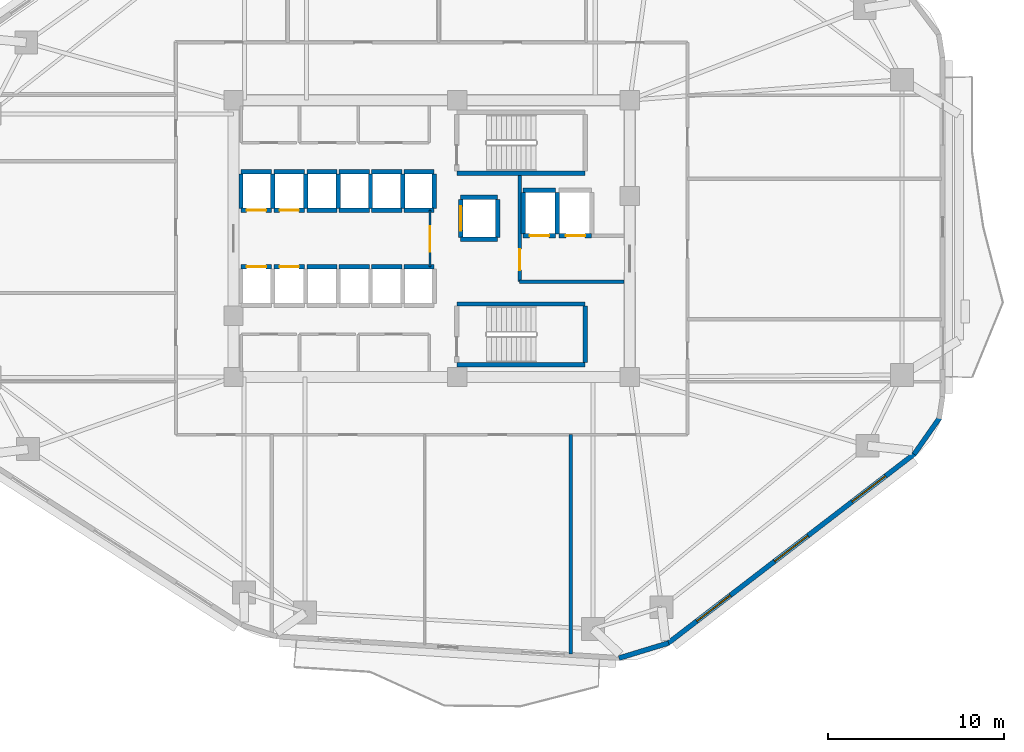
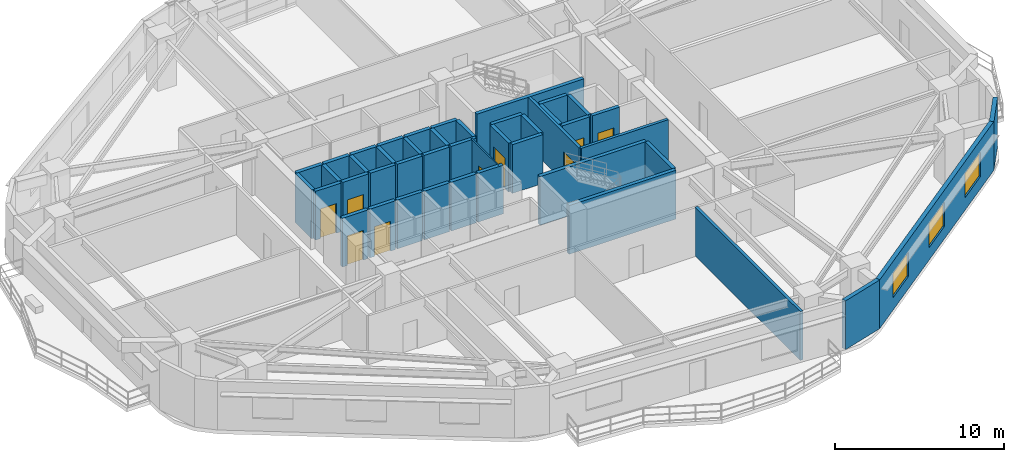
# One storey, part 8 of 14: 45 walls, 9 doors, 3 windows, 12 openings.
"""IFC4 building model written with IfcOpenShell, lengths in metres."""

from ifc_helpers import new_model, si_unit, direction, frame, frame_2d, origin, place, context, subcontext, project, spatial, rectangle, extrude, material, layer, layer_set, type_object, element, fill, save


model = new_model("IFC4")

# Units and contexts
model_context = context("Model", 3, precision=1e-05, world=origin(), true_north=direction((0.0, 1.0)))
body_context = subcontext(model_context, "Body", "Model", "MODEL_VIEW")
ifc_project = project(units=[si_unit("LENGTHUNIT", "METRE"), si_unit("AREAUNIT", "SQUARE_METRE"), si_unit("VOLUMEUNIT", "CUBIC_METRE"), si_unit("PLANEANGLEUNIT", "RADIAN"), si_unit("MASSUNIT", "GRAM", prefix="KILO")], contexts=[model_context])

# Site, building, storey
site_placement = place(None, origin())
site = spatial("IfcSite", under=ifc_project, at=site_placement, CompositionType="ELEMENT")
building_placement = place(site_placement, origin())
building = spatial("IfcBuilding", under=site, at=building_placement, Name="Zulverin Broadcast Headquarters", CompositionType="ELEMENT")
storey_placement = place(building_placement, frame((0.0, 0.0, 55.39990234375)))
storey = spatial("IfcBuildingStorey", under=building, at=storey_placement, Name="L13", CompositionType="ELEMENT", Elevation=55.39990234375)

# Wall
ifc_material_1 = material(Name="Acoustic drywall steel stud", Category="steel")
ifc_layer_1 = layer(ifc_material_1, 0.199951171875, Name="Acoustic drywall steel stud", Category="steel")
ifc_layer_set_1 = layer_set([ifc_layer_1], Name="Acoustic drywall steel stud")
wall_type_1 = type_object("IfcWallType", Name="WL-ACOU-200", PredefinedType="PARTITIONING", material=ifc_layer_set_1)
wall_1_placement = place(storey_placement, frame((44.89990234375, 1.580078125, 0.0), z_axis=(0.0, 0.0, 1.0), x_axis=(0.0, 1.0, 0.0)))
element("IfcWall", 1, at=wall_1_placement, inside=storey, type_object=wall_type_1, Name="L13 Room Partition Wall RP-03", PredefinedType="PARTITIONING", context=body_context, shape_type="SweptSolid", body=[
    extrude(rectangle(XDim=12.469970703125, YDim=0.199951171875, at=frame_2d((6.23486328125, 0.0))), origin(), (0.0, 0.0, 1.0), 3.525146484375),
])

# Wall, openings, windows
ifc_material_2 = material(Name="Insulated pale-metal clad concrete spandrel C40/50", Category="concrete")
ifc_layer_2 = layer(ifc_material_2, 0.280029296875, Name="Insulated pale-metal clad concrete spandrel C40/50", Category="concrete")
ifc_layer_set_2 = layer_set([ifc_layer_2], Name="Insulated pale-metal clad concrete spandrel C40/50")
wall_type_2 = type_object("IfcWallType", Name="WL-EXT-280", PredefinedType="STANDARD", material=ifc_layer_set_2)
wall_2_placement = place(storey_placement, frame((50.4287109375, 2.171630859375, 0.0), z_axis=(0.0, 0.0, 1.0), x_axis=(0.792937466367, 0.609303023488, 0.0)))
wall_2 = element("IfcWall", 2, at=wall_2_placement, inside=storey, type_object=wall_type_2, Name="L13 Pale-Metal Clad Spandrel Wall 2", PredefinedType="STANDARD", context=body_context, shape_type="SweptSolid", body=[
    extrude(rectangle(XDim=17.712890625, YDim=0.280029296875, at=frame_2d((8.8564453125, 0.0))), origin(), (0.0, 0.0, 1.0), 3.525146484375),
])
opening_1_placement = place(wall_2_placement, frame((2.08544921875, 0.0, 0.89990234375)))
opening_1 = element("IfcOpeningElement", 3, at=opening_1_placement, cuts=wall_2, Name="Opening W-L13-E21", PredefinedType="OPENING", context=body_context, shape_type="SweptSolid", body=[
    extrude(rectangle(XDim=2.39990234375, YDim=1.75, at=frame_2d((1.199951171875, 0.875))), frame((0.0, 0.14990234375, 0.0), z_axis=(0.0, -1.0, 0.0), x_axis=(1.0, 0.0, 0.0)), (0.0, 0.0, 1.0), 0.300048828125),
])
opening_2_placement = place(wall_2_placement, frame((7.656494140625, 0.0, 0.89990234375)))
opening_2 = element("IfcOpeningElement", 4, at=opening_2_placement, cuts=wall_2, Name="Opening W-L13-E22", PredefinedType="OPENING", context=body_context, shape_type="SweptSolid", body=[
    extrude(rectangle(XDim=2.39990234375, YDim=1.75, at=frame_2d((1.199951171875, 0.875))), frame((0.0, 0.14990234375, 0.0), z_axis=(0.0, -1.0, 0.0), x_axis=(1.0, 0.0, 0.0)), (0.0, 0.0, 1.0), 0.300048828125),
])
opening_3_placement = place(wall_2_placement, frame((13.227294921875, 0.0, 0.89990234375)))
opening_3 = element("IfcOpeningElement", 5, at=opening_3_placement, cuts=wall_2, Name="Opening W-L13-E23", PredefinedType="OPENING", context=body_context, shape_type="SweptSolid", body=[
    extrude(rectangle(XDim=2.39990234375, YDim=1.75, at=frame_2d((1.199951171875, 0.875))), frame((0.0, 0.14990234375, 0.0), z_axis=(0.0, -1.0, 0.0), x_axis=(1.0, 0.0, 0.0)), (0.0, 0.0, 1.0), 0.300048828125),
])
ifc_material_3 = material(Name="Pale anodized aluminium frame with solar-control low-E double glazing", Category="aluminium")
window_type = type_object("IfcWindowType", Name="WIN-RIB-2400", PartitioningType="SINGLE_PANEL", PredefinedType="WINDOW", material=ifc_material_3)
window_1_placement = place(opening_1_placement, origin())
window_1 = element("IfcWindow", 6, at=window_1_placement, inside=storey, type_object=window_type, Name="L13 Ribbon Glazing Window 2 1", OverallHeight=1.75, OverallWidth=2.39990234375, PartitioningType="SINGLE_PANEL", PredefinedType="WINDOW", context=body_context, shape_type="SweptSolid", body=[
    extrude(rectangle(XDim=2.39990234375, YDim=1.75, at=frame_2d((1.199951171875, 0.875))), frame((0.0, 0.030029296875, 0.0), z_axis=(0.0, -1.0, 0.0), x_axis=(1.0, 0.0, 0.0)), (0.0, 0.0, 1.0), 0.06005859375),
])
fill(opening_1, window_1)
window_2_placement = place(opening_2_placement, origin())
window_2 = element("IfcWindow", 7, at=window_2_placement, inside=storey, type_object=window_type, Name="L13 Ribbon Glazing Window 2 2", OverallHeight=1.75, OverallWidth=2.39990234375, PartitioningType="SINGLE_PANEL", PredefinedType="WINDOW", context=body_context, shape_type="SweptSolid", body=[
    extrude(rectangle(XDim=2.39990234375, YDim=1.75, at=frame_2d((1.199951171875, 0.875))), frame((0.0, 0.030029296875, 0.0), z_axis=(0.0, -1.0, 0.0), x_axis=(1.0, 0.0, 0.0)), (0.0, 0.0, 1.0), 0.06005859375),
])
fill(opening_2, window_2)
window_3_placement = place(opening_3_placement, origin())
window_3 = element("IfcWindow", 8, at=window_3_placement, inside=storey, type_object=window_type, Name="L13 Ribbon Glazing Window 2 3", OverallHeight=1.75, OverallWidth=2.39990234375, PartitioningType="SINGLE_PANEL", PredefinedType="WINDOW", context=body_context, shape_type="SweptSolid", body=[
    extrude(rectangle(XDim=2.39990234375, YDim=1.75, at=frame_2d((1.199951171875, 0.875))), frame((0.0, 0.030029296875, 0.0), z_axis=(0.0, -1.0, 0.0), x_axis=(1.0, 0.0, 0.0)), (0.0, 0.0, 1.0), 0.06005859375),
])
fill(opening_3, window_3)

# Walls
wall_3_placement = place(storey_placement, frame((47.649658203125, 1.3330078125, 0.0), z_axis=(0.0, 0.0, 1.0), x_axis=(0.956461287977, 0.291859220516, 0.0)))
element("IfcWall", 9, at=wall_3_placement, inside=storey, type_object=wall_type_2, Name="L13 Wind-Shaped Corner Spandrel Wall 1-1", PredefinedType="STANDARD", context=body_context, shape_type="SweptSolid", body=[
    extrude(rectangle(XDim=2.951904296875, YDim=0.280029296875, at=frame_2d((1.47607421875, 0.0))), origin(), (0.0, 0.0, 1.0), 3.525146484375),
])
wall_4_placement = place(storey_placement, frame((64.4443359375, 12.933349609375, 0.0), z_axis=(0.0, 0.0, 1.0), x_axis=(0.573176686443, 0.819431806875, 0.0)))
element("IfcWall", 10, at=wall_4_placement, inside=storey, type_object=wall_type_2, Name="L13 Wind-Shaped Corner Spandrel Wall 2-1", PredefinedType="STANDARD", context=body_context, shape_type="SweptSolid", body=[
    extrude(rectangle(XDim=2.524169921875, YDim=0.280029296875, at=frame_2d((1.26220703125, 0.0))), origin(), (0.0, 0.0, 1.0), 3.525146484375),
])

# Wall, opening, door
ifc_material_4 = material(Name="Concrete C40/50", Category="concrete")
ifc_layer_3 = layer(ifc_material_4, 0.199951171875, Name="Concrete C40/50", Category="concrete")
ifc_layer_set_3 = layer_set([ifc_layer_3], Name="Concrete C40/50")
wall_type_3 = type_object("IfcWallType", Name="WL-FFL-200", PredefinedType="SOLIDWALL", material=ifc_layer_set_3)
wall_5_placement = place(storey_placement, frame((42.0, 22.75, 0.0), z_axis=(0.0, 0.0, 1.0), x_axis=(0.0, 1.0, 0.0)))
wall_5 = element("IfcWall", 11, at=wall_5_placement, inside=storey, type_object=wall_type_3, Name="L13 Firefighting Lift Lobby West Wall", PredefinedType="SOLIDWALL", context=body_context, shape_type="SweptSolid", body=[
    extrude(rectangle(XDim=6.050048828125, YDim=0.199951171875, at=frame_2d((3.02490234375, 0.0))), origin(), (0.0, 0.0, 1.0), 3.525146484375),
])
opening_4_placement = place(wall_5_placement, frame((0.64990234375, 0.0, 0.0)))
opening_4 = element("IfcOpeningElement", 12, at=opening_4_placement, cuts=wall_5, Name="Opening D-L13-FFLW", PredefinedType="OPENING", context=body_context, shape_type="SweptSolid", body=[
    extrude(rectangle(XDim=1.199951171875, YDim=2.14990234375, at=frame_2d((0.60009765625, 1.074951171875))), frame((0.0, 0.10986328125, 0.0), z_axis=(0.0, -1.0, 0.0), x_axis=(1.0, 0.0, 0.0)), (0.0, 0.0, 1.0), 0.219970703125),
])
ifc_material_5 = material(Name="Fire-rated steel leaf and frame", Category="steel")
door_type_1 = type_object("IfcDoorType", Name="DR-FFL-1200", OperationType="SINGLE_SWING_RIGHT", PredefinedType="DOOR", material=ifc_material_5)
door_1_placement = place(opening_4_placement, origin())
door_1 = element("IfcDoor", 13, at=door_1_placement, inside=storey, type_object=door_type_1, Name="L13 Firefighting Lift Lobby Door", OperationType="SINGLE_SWING_RIGHT", OverallHeight=2.14990234375, OverallWidth=1.199951171875, PredefinedType="DOOR", context=body_context, shape_type="SweptSolid", body=[
    extrude(rectangle(XDim=1.199951171875, YDim=2.14990234375, at=frame_2d((0.60009765625, 1.074951171875))), frame((0.0, 0.02490234375, 0.0), z_axis=(0.0, -1.0, 0.0), x_axis=(1.0, 0.0, 0.0)), (0.0, 0.0, 1.0), 0.050048828125),
])
fill(opening_4, door_1)

# Wall
wall_6_placement = place(storey_placement, frame((42.0, 22.75, 0.0), z_axis=(0.0, 0.0, 1.0), x_axis=(1.0, 0.0, 0.0)))
element("IfcWall", 14, at=wall_6_placement, inside=storey, type_object=wall_type_3, Name="L13 Firefighting Lift Lobby South Wall", PredefinedType="SOLIDWALL", context=body_context, shape_type="SweptSolid", body=[
    extrude(rectangle(XDim=5.949951171875, YDim=0.199951171875, at=frame_2d((2.97509765625, 0.0))), origin(), (0.0, 0.0, 1.0), 3.525146484375),
])

# Wall, opening, door
ifc_material_6 = material(Name="Fire-rated acoustic laminated glass screen", Category="glass")
ifc_layer_4 = layer(ifc_material_6, 0.10009765625, Name="Fire-rated acoustic laminated glass screen", Category="glass")
ifc_layer_set_4 = layer_set([ifc_layer_4], Name="Fire-rated acoustic laminated glass screen")
wall_type_4 = type_object("IfcWallType", Name="WL-GLAZ-100", PredefinedType="PARTITIONING", material=ifc_layer_set_4)
wall_7_placement = place(storey_placement, frame((36.89990234375, 23.60009765625, 0.0), z_axis=(0.0, 0.0, 1.0), x_axis=(0.0, 1.0, 0.0)))
wall_7 = element("IfcWall", 15, at=wall_7_placement, inside=storey, type_object=wall_type_4, Name="L13 Core Goods & Stair Hall Screen", PredefinedType="PARTITIONING", context=body_context, shape_type="SweptSolid", body=[
    extrude(rectangle(XDim=3.199951171875, YDim=0.10009765625, at=frame_2d((1.60009765625, 0.0))), origin(), (0.0, 0.0, 1.0), 3.525146484375),
])
opening_5_placement = place(wall_7_placement, frame((0.85009765625, 0.0, 0.0)))
opening_5 = element("IfcOpeningElement", 16, at=opening_5_placement, cuts=wall_7, Name="Opening D-L13-CL3", PredefinedType="OPENING", context=body_context, shape_type="SweptSolid", body=[
    extrude(rectangle(XDim=1.449951171875, YDim=2.1201171875, at=frame_2d((0.72509765625, 1.06005859375))), frame((0.0, 0.06005859375, 0.0), z_axis=(0.0, -1.0, 0.0), x_axis=(1.0, 0.0, 0.0)), (0.0, 0.0, 1.0), 0.1201171875),
])
ifc_material_7 = material(Name="Fire-rated acoustic glazed double leaf", Category="glass")
door_type_2 = type_object("IfcDoorType", Name="DR-GLZ-1450", OperationType="DOUBLE_DOOR_SINGLE_SWING", PredefinedType="DOOR", material=ifc_material_7)
door_2_placement = place(opening_5_placement, origin())
door_2 = element("IfcDoor", 17, at=door_2_placement, inside=storey, type_object=door_type_2, Name="L13 Core Goods & Stair Hall Door", OperationType="DOUBLE_DOOR_SINGLE_SWING", OverallHeight=2.1201171875, OverallWidth=1.449951171875, PredefinedType="DOOR", context=body_context, shape_type="SweptSolid", body=[
    extrude(rectangle(XDim=1.449951171875, YDim=2.1201171875, at=frame_2d((0.72509765625, 1.06005859375))), frame((0.0, 0.02490234375, 0.0), z_axis=(0.0, -1.0, 0.0), x_axis=(1.0, 0.0, 0.0)), (0.0, 0.0, 1.0), 0.050048828125),
])
fill(opening_5, door_2)

# Walls
ifc_material_8 = material(Name="Concrete C50/60", Category="concrete")
ifc_layer_5 = layer(ifc_material_8, 0.25, Name="Concrete C50/60", Category="concrete")
ifc_layer_set_5 = layer_set([ifc_layer_5], Name="Concrete C50/60")
wall_type_5 = type_object("IfcWallType", Name="WL-SHAFT-250", PredefinedType="SHEAR", material=ifc_layer_set_5)
for number, where, z_axis, x_axis, name in (
    (18, (38.425048828125, 28.925048828125, 0.0), (0.0, 0.0, 1.0), (1.0, 0.0, 0.0), "L13 ST-1 Enclosure Wall S"),
    (19, (38.425048828125, 18.02490234375, 0.0), (0.0, 0.0, 1.0), (1.0, 0.0, 0.0), "L13 ST-2 Enclosure Wall S"),
    (20, (38.425048828125, 21.47509765625, 0.0), (0.0, 0.0, 1.0), (1.0, 0.0, 0.0), "L13 ST-2 Enclosure Wall N"),
):
    element("IfcWall", number, at=place(storey_placement, frame(where, z_axis=z_axis, x_axis=x_axis)), inside=storey, type_object=wall_type_5, Name=name, PredefinedType="SHEAR", context=body_context, shape_type="SweptSolid", body=[
        extrude(rectangle(XDim=7.300048828125, YDim=0.25, at=frame_2d((3.64990234375, 0.0))), origin(), (0.0, 0.0, 1.0), 3.525146484375),
    ])
wall_8_placement = place(storey_placement, frame((45.72509765625, 18.14990234375, 0.0), z_axis=(0.0, 0.0, 1.0), x_axis=(0.0, 1.0, 0.0)))
element("IfcWall", 21, at=wall_8_placement, inside=storey, type_object=wall_type_5, Name="L13 ST-2 Enclosure Wall E", PredefinedType="SHEAR", context=body_context, shape_type="SweptSolid", body=[
    extrude(rectangle(XDim=3.2001953125, YDim=0.25, at=frame_2d((1.60009765625, 0.0))), origin(), (0.0, 0.0, 1.0), 3.525146484375),
])

# Wall, opening, door
wall_9_placement = place(storey_placement, frame((26.14990234375, 26.800048828125, 0.0), z_axis=(0.0, 0.0, 1.0), x_axis=(1.0, 0.0, 0.0)))
wall_9 = element("IfcWall", 22, at=wall_9_placement, inside=storey, type_object=wall_type_5, Name="L13 Lift PL-L1 Shaft Wall S", PredefinedType="SHEAR", context=body_context, shape_type="SweptSolid", body=[
    extrude(rectangle(XDim=1.75, YDim=0.25, at=frame_2d((0.875, 0.0))), origin(), (0.0, 0.0, 1.0), 3.525146484375),
])
opening_6_placement = place(wall_9_placement, frame((0.324951171875, 0.0, 0.0)))
opening_6 = element("IfcOpeningElement", 23, at=opening_6_placement, cuts=wall_9, Name="Opening LD-PL-L1-L13", PredefinedType="OPENING", context=body_context, shape_type="SweptSolid", body=[
    extrude(rectangle(XDim=1.10009765625, YDim=2.14990234375, at=frame_2d((0.550048828125, 1.074951171875))), frame((0.0, 0.135009765625, 0.0), z_axis=(0.0, -1.0, 0.0), x_axis=(1.0, 0.0, 0.0)), (0.0, 0.0, 1.0), 0.27001953125),
])
ifc_material_9 = material(Name="Brushed stainless steel landing", Category="steel")
door_type_3 = type_object("IfcDoorType", Name="LD-PASS-1100", OperationType="DOUBLE_DOOR_SLIDING", PredefinedType="DOOR", material=ifc_material_9)
door_3_placement = place(opening_6_placement, origin())
door_3 = element("IfcDoor", 24, at=door_3_placement, inside=storey, type_object=door_type_3, Name="L13 Lift PL-L1 Sliding Landing Door", OperationType="DOUBLE_DOOR_SLIDING", OverallHeight=2.14990234375, OverallWidth=1.10009765625, PredefinedType="DOOR", context=body_context, shape_type="SweptSolid", body=[
    extrude(rectangle(XDim=1.10009765625, YDim=2.14990234375, at=frame_2d((0.550048828125, 1.074951171875))), frame((0.0, 0.02490234375, 0.0), z_axis=(0.0, -1.0, 0.0), x_axis=(1.0, 0.0, 0.0)), (0.0, 0.0, 1.0), 0.050048828125),
])
fill(opening_6, door_3)

# Walls
wall_10_placement = place(storey_placement, frame((26.14990234375, 29.0, 0.0), z_axis=(0.0, 0.0, 1.0), x_axis=(1.0, 0.0, 0.0)))
element("IfcWall", 25, at=wall_10_placement, inside=storey, type_object=wall_type_5, Name="L13 Lift PL-L1 Shaft Wall N", PredefinedType="SHEAR", context=body_context, shape_type="SweptSolid", body=[
    extrude(rectangle(XDim=1.75, YDim=0.25, at=frame_2d((0.875, 0.0))), origin(), (0.0, 0.0, 1.0), 3.525146484375),
])
for number, where, z_axis, x_axis, name in (
    (26, (26.14990234375, 26.919921875, 0.0), (0.0, 0.0, 1.0), (0.0, 1.0, 0.0), "L13 Lift PL-L1 Shaft Wall W"),
    (27, (27.9599609375, 26.919921875, 0.0), (0.0, 0.0, 1.0), (0.0, 1.0, 0.0), "L13 Lift PL-L1 Shaft Wall E"),
):
    element("IfcWall", number, at=place(storey_placement, frame(where, z_axis=z_axis, x_axis=x_axis)), inside=storey, type_object=wall_type_5, Name=name, PredefinedType="SHEAR", context=body_context, shape_type="SweptSolid", body=[
        extrude(rectangle(XDim=1.9599609375, YDim=0.25, at=frame_2d((0.97998046875, 0.0))), origin(), (0.0, 0.0, 1.0), 3.525146484375),
    ])

# Wall, opening, door
wall_11_placement = place(storey_placement, frame((28.02001953125, 26.800048828125, 0.0), z_axis=(0.0, 0.0, 1.0), x_axis=(1.0, 0.0, 0.0)))
wall_11 = element("IfcWall", 28, at=wall_11_placement, inside=storey, type_object=wall_type_5, Name="L13 Lift PL-L2 Shaft Wall S", PredefinedType="SHEAR", context=body_context, shape_type="SweptSolid", body=[
    extrude(rectangle(XDim=1.75, YDim=0.25, at=frame_2d((0.875, 0.0))), origin(), (0.0, 0.0, 1.0), 3.525146484375),
])
opening_7_placement = place(wall_11_placement, frame((0.324951171875, 0.0, 0.0)))
opening_7 = element("IfcOpeningElement", 29, at=opening_7_placement, cuts=wall_11, Name="Opening LD-PL-L2-L13", PredefinedType="OPENING", context=body_context, shape_type="SweptSolid", body=[
    extrude(rectangle(XDim=1.10009765625, YDim=2.14990234375, at=frame_2d((0.550048828125, 1.074951171875))), frame((0.0, 0.135009765625, 0.0), z_axis=(0.0, -1.0, 0.0), x_axis=(1.0, 0.0, 0.0)), (0.0, 0.0, 1.0), 0.27001953125),
])
door_4_placement = place(opening_7_placement, origin())
door_4 = element("IfcDoor", 30, at=door_4_placement, inside=storey, type_object=door_type_3, Name="L13 Lift PL-L2 Sliding Landing Door", OperationType="DOUBLE_DOOR_SLIDING", OverallHeight=2.14990234375, OverallWidth=1.10009765625, PredefinedType="DOOR", context=body_context, shape_type="SweptSolid", body=[
    extrude(rectangle(XDim=1.10009765625, YDim=2.14990234375, at=frame_2d((0.550048828125, 1.074951171875))), frame((0.0, 0.02490234375, 0.0), z_axis=(0.0, -1.0, 0.0), x_axis=(1.0, 0.0, 0.0)), (0.0, 0.0, 1.0), 0.050048828125),
])
fill(opening_7, door_4)

# Walls
wall_12_placement = place(storey_placement, frame((28.02001953125, 29.0, 0.0), z_axis=(0.0, 0.0, 1.0), x_axis=(1.0, 0.0, 0.0)))
element("IfcWall", 31, at=wall_12_placement, inside=storey, type_object=wall_type_5, Name="L13 Lift PL-L2 Shaft Wall N", PredefinedType="SHEAR", context=body_context, shape_type="SweptSolid", body=[
    extrude(rectangle(XDim=1.75, YDim=0.25, at=frame_2d((0.875, 0.0))), origin(), (0.0, 0.0, 1.0), 3.525146484375),
])
wall_13_placement = place(storey_placement, frame((29.8349609375, 26.919921875, 0.0), z_axis=(0.0, 0.0, 1.0), x_axis=(0.0, 1.0, 0.0)))
element("IfcWall", 32, at=wall_13_placement, inside=storey, type_object=wall_type_5, Name="L13 Lift PL-L2 Shaft Wall E", PredefinedType="SHEAR", context=body_context, shape_type="SweptSolid", body=[
    extrude(rectangle(XDim=1.9599609375, YDim=0.25, at=frame_2d((0.97998046875, 0.0))), origin(), (0.0, 0.0, 1.0), 3.525146484375),
])

# Wall, opening, door
wall_14_placement = place(storey_placement, frame((26.14990234375, 23.60009765625, 0.0), z_axis=(0.0, 0.0, 1.0), x_axis=(1.0, 0.0, 0.0)))
wall_14 = element("IfcWall", 33, at=wall_14_placement, inside=storey, type_object=wall_type_5, Name="L13 Lift PL-L3 Shaft Wall N", PredefinedType="SHEAR", context=body_context, shape_type="SweptSolid", body=[
    extrude(rectangle(XDim=1.75, YDim=0.25, at=frame_2d((0.875, 0.0))), origin(), (0.0, 0.0, 1.0), 3.525146484375),
])
opening_8_placement = place(wall_14_placement, frame((0.324951171875, 0.0, 0.0)))
opening_8 = element("IfcOpeningElement", 34, at=opening_8_placement, cuts=wall_14, Name="Opening LD-PL-L3-L13", PredefinedType="OPENING", context=body_context, shape_type="SweptSolid", body=[
    extrude(rectangle(XDim=1.10009765625, YDim=2.14990234375, at=frame_2d((0.550048828125, 1.074951171875))), frame((0.0, 0.135009765625, 0.0), z_axis=(0.0, -1.0, 0.0), x_axis=(1.0, 0.0, 0.0)), (0.0, 0.0, 1.0), 0.27001953125),
])
door_5_placement = place(opening_8_placement, origin())
door_5 = element("IfcDoor", 35, at=door_5_placement, inside=storey, type_object=door_type_3, Name="L13 Lift PL-L3 Sliding Landing Door", OperationType="DOUBLE_DOOR_SLIDING", OverallHeight=2.14990234375, OverallWidth=1.10009765625, PredefinedType="DOOR", context=body_context, shape_type="SweptSolid", body=[
    extrude(rectangle(XDim=1.10009765625, YDim=2.14990234375, at=frame_2d((0.550048828125, 1.074951171875))), frame((0.0, 0.02490234375, 0.0), z_axis=(0.0, -1.0, 0.0), x_axis=(1.0, 0.0, 0.0)), (0.0, 0.0, 1.0), 0.050048828125),
])
fill(opening_8, door_5)

wall_15_placement = place(storey_placement, frame((28.02001953125, 23.60009765625, 0.0), z_axis=(0.0, 0.0, 1.0), x_axis=(1.0, 0.0, 0.0)))
wall_15 = element("IfcWall", 36, at=wall_15_placement, inside=storey, type_object=wall_type_5, Name="L13 Lift PL-L4 Shaft Wall N", PredefinedType="SHEAR", context=body_context, shape_type="SweptSolid", body=[
    extrude(rectangle(XDim=1.75, YDim=0.25, at=frame_2d((0.875, 0.0))), origin(), (0.0, 0.0, 1.0), 3.525146484375),
])
opening_9_placement = place(wall_15_placement, frame((0.324951171875, 0.0, 0.0)))
opening_9 = element("IfcOpeningElement", 37, at=opening_9_placement, cuts=wall_15, Name="Opening LD-PL-L4-L13", PredefinedType="OPENING", context=body_context, shape_type="SweptSolid", body=[
    extrude(rectangle(XDim=1.10009765625, YDim=2.14990234375, at=frame_2d((0.550048828125, 1.074951171875))), frame((0.0, 0.135009765625, 0.0), z_axis=(0.0, -1.0, 0.0), x_axis=(1.0, 0.0, 0.0)), (0.0, 0.0, 1.0), 0.27001953125),
])
door_6_placement = place(opening_9_placement, origin())
door_6 = element("IfcDoor", 38, at=door_6_placement, inside=storey, type_object=door_type_3, Name="L13 Lift PL-L4 Sliding Landing Door", OperationType="DOUBLE_DOOR_SLIDING", OverallHeight=2.14990234375, OverallWidth=1.10009765625, PredefinedType="DOOR", context=body_context, shape_type="SweptSolid", body=[
    extrude(rectangle(XDim=1.10009765625, YDim=2.14990234375, at=frame_2d((0.550048828125, 1.074951171875))), frame((0.0, 0.02490234375, 0.0), z_axis=(0.0, -1.0, 0.0), x_axis=(1.0, 0.0, 0.0)), (0.0, 0.0, 1.0), 0.050048828125),
])
fill(opening_9, door_6)

# Walls
wall_16_placement = place(storey_placement, frame((29.89990234375, 23.60009765625, 0.0), z_axis=(0.0, 0.0, 1.0), x_axis=(1.0, 0.0, 0.0)))
element("IfcWall", 39, at=wall_16_placement, inside=storey, type_object=wall_type_5, Name="L13 Lift PL-M1 Shaft Wall N", PredefinedType="SHEAR", context=body_context, shape_type="SweptSolid", body=[
    extrude(rectangle(XDim=1.72021484375, YDim=0.25, at=frame_2d((0.860107421875, 0.0))), origin(), (0.0, 0.0, 1.0), 3.525146484375),
])
for number, where, z_axis, x_axis, name in (
    (40, (31.739990234375, 23.60009765625, 0.0), (0.0, 0.0, 1.0), (1.0, 0.0, 0.0), "L13 Lift PL-M2 Shaft Wall N"),
    (41, (33.580078125, 23.60009765625, 0.0), (0.0, 0.0, 1.0), (1.0, 0.0, 0.0), "L13 Lift PL-M3 Shaft Wall N"),
    (42, (35.419921875, 23.60009765625, 0.0), (0.0, 0.0, 1.0), (1.0, 0.0, 0.0), "L13 Lift PL-M4 Shaft Wall N"),
):
    element("IfcWall", number, at=place(storey_placement, frame(where, z_axis=z_axis, x_axis=x_axis)), inside=storey, type_object=wall_type_5, Name=name, PredefinedType="SHEAR", context=body_context, shape_type="SweptSolid", body=[
        extrude(rectangle(XDim=1.719970703125, YDim=0.25, at=frame_2d((0.85986328125, 0.0))), origin(), (0.0, 0.0, 1.0), 3.525146484375),
    ])
for number, where, z_axis, x_axis, name in (
    (43, (29.89990234375, 26.800048828125, 0.0), (0.0, 0.0, 1.0), (1.0, 0.0, 0.0), "L13 Lift PL-H1 Shaft Wall S"),
    (44, (29.89990234375, 29.0, 0.0), (0.0, 0.0, 1.0), (1.0, 0.0, 0.0), "L13 Lift PL-H1 Shaft Wall N"),
):
    element("IfcWall", number, at=place(storey_placement, frame(where, z_axis=z_axis, x_axis=x_axis)), inside=storey, type_object=wall_type_5, Name=name, PredefinedType="SHEAR", context=body_context, shape_type="SweptSolid", body=[
        extrude(rectangle(XDim=1.72021484375, YDim=0.25, at=frame_2d((0.860107421875, 0.0))), origin(), (0.0, 0.0, 1.0), 3.525146484375),
    ])
wall_17_placement = place(storey_placement, frame((31.679931640625, 26.919921875, 0.0), z_axis=(0.0, 0.0, 1.0), x_axis=(0.0, 1.0, 0.0)))
element("IfcWall", 45, at=wall_17_placement, inside=storey, type_object=wall_type_5, Name="L13 Lift PL-H1 Shaft Wall E", PredefinedType="SHEAR", context=body_context, shape_type="SweptSolid", body=[
    extrude(rectangle(XDim=1.9599609375, YDim=0.25, at=frame_2d((0.97998046875, 0.0))), origin(), (0.0, 0.0, 1.0), 3.525146484375),
])
for number, where, z_axis, x_axis, name in (
    (46, (31.739990234375, 26.800048828125, 0.0), (0.0, 0.0, 1.0), (1.0, 0.0, 0.0), "L13 Lift PL-H2 Shaft Wall S"),
    (47, (31.739990234375, 29.0, 0.0), (0.0, 0.0, 1.0), (1.0, 0.0, 0.0), "L13 Lift PL-H2 Shaft Wall N"),
):
    element("IfcWall", number, at=place(storey_placement, frame(where, z_axis=z_axis, x_axis=x_axis)), inside=storey, type_object=wall_type_5, Name=name, PredefinedType="SHEAR", context=body_context, shape_type="SweptSolid", body=[
        extrude(rectangle(XDim=1.719970703125, YDim=0.25, at=frame_2d((0.85986328125, 0.0))), origin(), (0.0, 0.0, 1.0), 3.525146484375),
    ])
wall_18_placement = place(storey_placement, frame((33.52001953125, 26.919921875, 0.0), z_axis=(0.0, 0.0, 1.0), x_axis=(0.0, 1.0, 0.0)))
element("IfcWall", 48, at=wall_18_placement, inside=storey, type_object=wall_type_5, Name="L13 Lift PL-H2 Shaft Wall E", PredefinedType="SHEAR", context=body_context, shape_type="SweptSolid", body=[
    extrude(rectangle(XDim=1.9599609375, YDim=0.25, at=frame_2d((0.97998046875, 0.0))), origin(), (0.0, 0.0, 1.0), 3.525146484375),
])
for number, where, z_axis, x_axis, name in (
    (49, (33.580078125, 26.800048828125, 0.0), (0.0, 0.0, 1.0), (1.0, 0.0, 0.0), "L13 Lift PL-H3 Shaft Wall S"),
    (50, (33.580078125, 29.0, 0.0), (0.0, 0.0, 1.0), (1.0, 0.0, 0.0), "L13 Lift PL-H3 Shaft Wall N"),
):
    element("IfcWall", number, at=place(storey_placement, frame(where, z_axis=z_axis, x_axis=x_axis)), inside=storey, type_object=wall_type_5, Name=name, PredefinedType="SHEAR", context=body_context, shape_type="SweptSolid", body=[
        extrude(rectangle(XDim=1.719970703125, YDim=0.25, at=frame_2d((0.85986328125, 0.0))), origin(), (0.0, 0.0, 1.0), 3.525146484375),
    ])
wall_19_placement = place(storey_placement, frame((35.360107421875, 26.919921875, 0.0), z_axis=(0.0, 0.0, 1.0), x_axis=(0.0, 1.0, 0.0)))
element("IfcWall", 51, at=wall_19_placement, inside=storey, type_object=wall_type_5, Name="L13 Lift PL-H3 Shaft Wall E", PredefinedType="SHEAR", context=body_context, shape_type="SweptSolid", body=[
    extrude(rectangle(XDim=1.9599609375, YDim=0.25, at=frame_2d((0.97998046875, 0.0))), origin(), (0.0, 0.0, 1.0), 3.525146484375),
])
for number, where, z_axis, x_axis, name in (
    (52, (35.419921875, 26.800048828125, 0.0), (0.0, 0.0, 1.0), (1.0, 0.0, 0.0), "L13 Lift PL-H4 Shaft Wall S"),
    (53, (35.419921875, 29.0, 0.0), (0.0, 0.0, 1.0), (1.0, 0.0, 0.0), "L13 Lift PL-H4 Shaft Wall N"),
):
    element("IfcWall", number, at=place(storey_placement, frame(where, z_axis=z_axis, x_axis=x_axis)), inside=storey, type_object=wall_type_5, Name=name, PredefinedType="SHEAR", context=body_context, shape_type="SweptSolid", body=[
        extrude(rectangle(XDim=1.719970703125, YDim=0.25, at=frame_2d((0.85986328125, 0.0))), origin(), (0.0, 0.0, 1.0), 3.525146484375),
    ])
wall_20_placement = place(storey_placement, frame((37.139892578125, 26.919921875, 0.0), z_axis=(0.0, 0.0, 1.0), x_axis=(0.0, 1.0, 0.0)))
element("IfcWall", 54, at=wall_20_placement, inside=storey, type_object=wall_type_5, Name="L13 Lift PL-H4 Shaft Wall E", PredefinedType="SHEAR", context=body_context, shape_type="SweptSolid", body=[
    extrude(rectangle(XDim=1.9599609375, YDim=0.25, at=frame_2d((0.97998046875, 0.0))), origin(), (0.0, 0.0, 1.0), 3.525146484375),
])

# Wall, opening, door
wall_21_placement = place(storey_placement, frame((42.199951171875, 25.35009765625, 0.0), z_axis=(0.0, 0.0, 1.0), x_axis=(1.0, 0.0, 0.0)))
wall_21 = element("IfcWall", 55, at=wall_21_placement, inside=storey, type_object=wall_type_5, Name="L13 Lift FFL-1 Shaft Wall S", PredefinedType="SHEAR", context=body_context, shape_type="SweptSolid", body=[
    extrude(rectangle(XDim=1.85009765625, YDim=0.25, at=frame_2d((0.925048828125, 0.0))), origin(), (0.0, 0.0, 1.0), 3.525146484375),
])
opening_10_placement = place(wall_21_placement, frame((0.375, 0.0, 0.0)))
opening_10 = element("IfcOpeningElement", 56, at=opening_10_placement, cuts=wall_21, Name="Opening LD-FFL-1-L13", PredefinedType="OPENING", context=body_context, shape_type="SweptSolid", body=[
    extrude(rectangle(XDim=1.10009765625, YDim=2.14990234375, at=frame_2d((0.550048828125, 1.074951171875))), frame((0.0, 0.135009765625, 0.0), z_axis=(0.0, -1.0, 0.0), x_axis=(1.0, 0.0, 0.0)), (0.0, 0.0, 1.0), 0.27001953125),
])
ifc_material_10 = material(Name="Fire-rated stainless landing door", Category="steel")
door_type_4 = type_object("IfcDoorType", Name="LD-FFL-1100", OperationType="DOUBLE_DOOR_SLIDING", PredefinedType="DOOR", material=ifc_material_10)
door_7_placement = place(opening_10_placement, origin())
door_7 = element("IfcDoor", 57, at=door_7_placement, inside=storey, type_object=door_type_4, Name="L13 Lift FFL-1 Sliding Landing Door", OperationType="DOUBLE_DOOR_SLIDING", OverallHeight=2.14990234375, OverallWidth=1.10009765625, PredefinedType="DOOR", context=body_context, shape_type="SweptSolid", body=[
    extrude(rectangle(XDim=1.10009765625, YDim=2.14990234375, at=frame_2d((0.550048828125, 1.074951171875))), frame((0.0, 0.02490234375, 0.0), z_axis=(0.0, -1.0, 0.0), x_axis=(1.0, 0.0, 0.0)), (0.0, 0.0, 1.0), 0.050048828125),
])
fill(opening_10, door_7)

# Walls
wall_22_placement = place(storey_placement, frame((42.199951171875, 27.949951171875, 0.0), z_axis=(0.0, 0.0, 1.0), x_axis=(1.0, 0.0, 0.0)))
element("IfcWall", 58, at=wall_22_placement, inside=storey, type_object=wall_type_5, Name="L13 Lift FFL-1 Shaft Wall N", PredefinedType="SHEAR", context=body_context, shape_type="SweptSolid", body=[
    extrude(rectangle(XDim=1.85009765625, YDim=0.25, at=frame_2d((0.925048828125, 0.0))), origin(), (0.0, 0.0, 1.0), 3.525146484375),
])
for number, where, z_axis, x_axis, name in (
    (59, (42.199951171875, 25.469970703125, 0.0), (0.0, 0.0, 1.0), (0.0, 1.0, 0.0), "L13 Lift FFL-1 Shaft Wall W"),
    (60, (44.14990234375, 25.469970703125, 0.0), (0.0, 0.0, 1.0), (0.0, 1.0, 0.0), "L13 Lift FFL-1 Shaft Wall E"),
):
    element("IfcWall", number, at=place(storey_placement, frame(where, z_axis=z_axis, x_axis=x_axis)), inside=storey, type_object=wall_type_5, Name=name, PredefinedType="SHEAR", context=body_context, shape_type="SweptSolid", body=[
        extrude(rectangle(XDim=2.360107421875, YDim=0.25, at=frame_2d((1.18017578125, 0.0))), origin(), (0.0, 0.0, 1.0), 3.525146484375),
    ])

# Wall, opening, door
wall_23_placement = place(storey_placement, frame((44.25, 25.35009765625, 0.0), z_axis=(0.0, 0.0, 1.0), x_axis=(1.0, 0.0, 0.0)))
wall_23 = element("IfcWall", 61, at=wall_23_placement, inside=storey, type_object=wall_type_5, Name="L13 Lift FFL-2 Shaft Wall S", PredefinedType="SHEAR", context=body_context, shape_type="SweptSolid", body=[
    extrude(rectangle(XDim=1.85009765625, YDim=0.25, at=frame_2d((0.925048828125, 0.0))), origin(), (0.0, 0.0, 1.0), 3.525146484375),
])
opening_11_placement = place(wall_23_placement, frame((0.375, 0.0, 0.0)))
opening_11 = element("IfcOpeningElement", 62, at=opening_11_placement, cuts=wall_23, Name="Opening LD-FFL-2-L13", PredefinedType="OPENING", context=body_context, shape_type="SweptSolid", body=[
    extrude(rectangle(XDim=1.10009765625, YDim=2.14990234375, at=frame_2d((0.550048828125, 1.074951171875))), frame((0.0, 0.135009765625, 0.0), z_axis=(0.0, -1.0, 0.0), x_axis=(1.0, 0.0, 0.0)), (0.0, 0.0, 1.0), 0.27001953125),
])
door_8_placement = place(opening_11_placement, origin())
door_8 = element("IfcDoor", 63, at=door_8_placement, inside=storey, type_object=door_type_4, Name="L13 Lift FFL-2 Sliding Landing Door", OperationType="DOUBLE_DOOR_SLIDING", OverallHeight=2.14990234375, OverallWidth=1.10009765625, PredefinedType="DOOR", context=body_context, shape_type="SweptSolid", body=[
    extrude(rectangle(XDim=1.10009765625, YDim=2.14990234375, at=frame_2d((0.550048828125, 1.074951171875))), frame((0.0, 0.02490234375, 0.0), z_axis=(0.0, -1.0, 0.0), x_axis=(1.0, 0.0, 0.0)), (0.0, 0.0, 1.0), 0.050048828125),
])
fill(opening_11, door_8)

# Walls
for number, where, z_axis, x_axis, name in (
    (64, (38.64990234375, 25.14990234375, 0.0), (0.0, 0.0, 1.0), (1.0, 0.0, 0.0), "L13 Lift SVL-1 Shaft Wall S"),
    (65, (38.64990234375, 27.550048828125, 0.0), (0.0, 0.0, 1.0), (1.0, 0.0, 0.0), "L13 Lift SVL-1 Shaft Wall N"),
):
    element("IfcWall", number, at=place(storey_placement, frame(where, z_axis=z_axis, x_axis=x_axis)), inside=storey, type_object=wall_type_5, Name=name, PredefinedType="SHEAR", context=body_context, shape_type="SweptSolid", body=[
        extrude(rectangle(XDim=2.10009765625, YDim=0.25, at=frame_2d((1.050048828125, 0.0))), origin(), (0.0, 0.0, 1.0), 3.525146484375),
    ])

# Wall, opening, door
wall_24_placement = place(storey_placement, frame((38.64990234375, 25.27001953125, 0.0), z_axis=(0.0, 0.0, 1.0), x_axis=(0.0, 1.0, 0.0)))
wall_24 = element("IfcWall", 66, at=wall_24_placement, inside=storey, type_object=wall_type_5, Name="L13 Lift SVL-1 Shaft Wall W", PredefinedType="SHEAR", context=body_context, shape_type="SweptSolid", body=[
    extrude(rectangle(XDim=2.159912109375, YDim=0.25, at=frame_2d((1.080078125, 0.0))), origin(), (0.0, 0.0, 1.0), 3.525146484375),
])
opening_12_placement = place(wall_24_placement, frame((0.3798828125, 0.0, 0.0)))
opening_12 = element("IfcOpeningElement", 67, at=opening_12_placement, cuts=wall_24, Name="Opening LD-SVL-1-L13", PredefinedType="OPENING", context=body_context, shape_type="SweptSolid", body=[
    extrude(rectangle(XDim=1.39990234375, YDim=2.199951171875, at=frame_2d((0.699951171875, 1.10009765625))), frame((0.0, 0.135009765625, 0.0), z_axis=(0.0, -1.0, 0.0), x_axis=(1.0, 0.0, 0.0)), (0.0, 0.0, 1.0), 0.27001953125),
])
ifc_material_11 = material(Name="Heavy-duty stainless landing door", Category="steel")
door_type_5 = type_object("IfcDoorType", Name="LD-GOODS-1400", OperationType="DOUBLE_DOOR_SLIDING", PredefinedType="DOOR", material=ifc_material_11)
door_9_placement = place(opening_12_placement, origin())
door_9 = element("IfcDoor", 68, at=door_9_placement, inside=storey, type_object=door_type_5, Name="L13 Lift SVL-1 Sliding Landing Door", OperationType="DOUBLE_DOOR_SLIDING", OverallHeight=2.199951171875, OverallWidth=1.39990234375, PredefinedType="DOOR", context=body_context, shape_type="SweptSolid", body=[
    extrude(rectangle(XDim=1.39990234375, YDim=2.199951171875, at=frame_2d((0.699951171875, 1.10009765625))), frame((0.0, 0.02490234375, 0.0), z_axis=(0.0, -1.0, 0.0), x_axis=(1.0, 0.0, 0.0)), (0.0, 0.0, 1.0), 0.050048828125),
])
fill(opening_12, door_9)

# Wall
wall_25_placement = place(storey_placement, frame((40.75, 25.27001953125, 0.0), z_axis=(0.0, 0.0, 1.0), x_axis=(0.0, 1.0, 0.0)))
element("IfcWall", 69, at=wall_25_placement, inside=storey, type_object=wall_type_5, Name="L13 Lift SVL-1 Shaft Wall E", PredefinedType="SHEAR", context=body_context, shape_type="SweptSolid", body=[
    extrude(rectangle(XDim=2.159912109375, YDim=0.25, at=frame_2d((1.080078125, 0.0))), origin(), (0.0, 0.0, 1.0), 3.525146484375),
])

save(model, "model.ifc")
